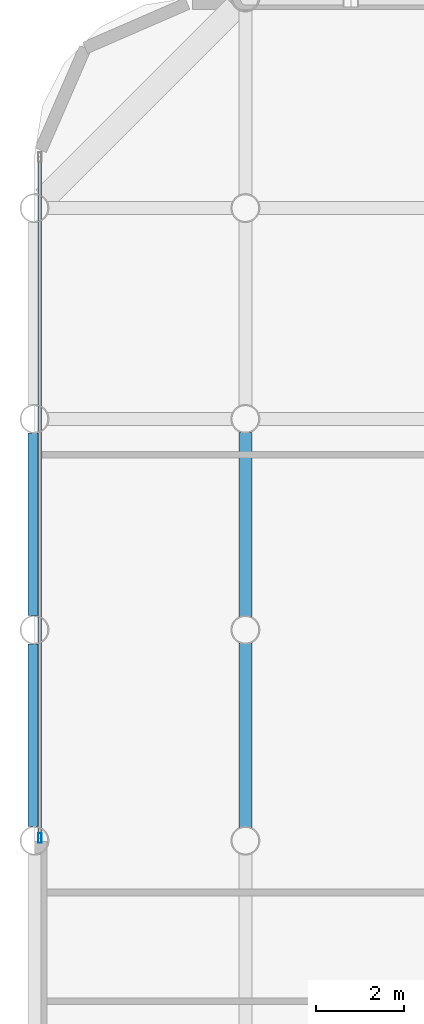
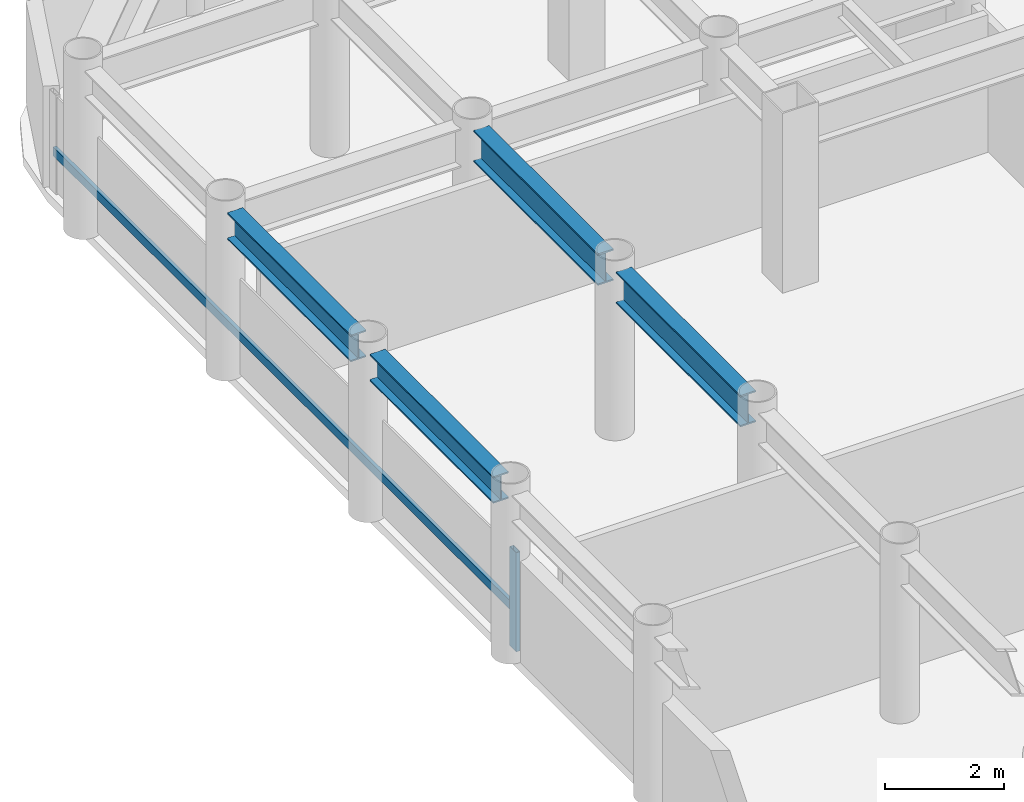
# One storey, part 4 of 20: 4 beams, 2 members, 1 element without a shape of its own.
"""IFC4 building model written with IfcOpenShell, lengths in metres."""

from ifc_helpers import new_model, si_unit, direction, frame, origin, origin_2d, place, context, subcontext, project, spatial, hollow_rectangle, i_section, extrude, material, layer, layer_set, material_profile, profile_set, type_object, element, aggregate, save


model = new_model("IFC4")

# Units and contexts
model_context = context("Model", 3, precision=1e-05, world=origin(), true_north=direction((0.0, 1.0)))
body_context = subcontext(model_context, "Body", "Model", "MODEL_VIEW")
ifc_project = project(units=[si_unit("LENGTHUNIT", "METRE"), si_unit("AREAUNIT", "SQUARE_METRE"), si_unit("VOLUMEUNIT", "CUBIC_METRE"), si_unit("PLANEANGLEUNIT", "RADIAN"), si_unit("MASSUNIT", "GRAM", prefix="KILO")], contexts=[model_context])

# Site, building, storey
site_placement = place(None, origin())
site = spatial("IfcSite", under=ifc_project, at=site_placement, CompositionType="ELEMENT")
building_placement = place(site_placement, origin())
building = spatial("IfcBuilding", under=site, at=building_placement, Name="Kallvorn Hotel Tower", CompositionType="ELEMENT")
storey_placement = place(building_placement, frame((0.0, 0.0, 176.60009765625)))
storey = spatial("IfcBuildingStorey", under=building, at=storey_placement, Name="L44", CompositionType="ELEMENT", Elevation=176.60009765625)

# Beams
ifc_material_1 = material(Name="Structural steel S355JR", Category="steel")
ifc_material_profile_1 = material_profile(ifc_material_1, i_section(OverallWidth=0.300048828125, OverallDepth=0.550048828125, WebThickness=0.014892578125, FlangeThickness=0.029052734375, at=origin_2d()), Name="HE 550 B")
ifc_profile_set_1 = profile_set([ifc_material_profile_1], Name="Structural steel S355JR")
beam_type_1 = type_object("IfcBeamType", Name="BM_HE550B", PredefinedType="SPANDREL", material=ifc_profile_set_1)
for number, where, z_axis, x_axis, name in (
    (1, (-33.60009765625, 0.320068359375, 3.204833984375), (0.0, 1.0, 0.0), (-1.0, 0.0, 0.0), "L45 Perimeter Spandrel 178"),
    (2, (-33.60009765625, 5.1201171875, 3.204833984375), (0.0, 1.0, 0.0), (-1.0, 0.0, 0.0), "L45 Perimeter Spandrel 179"),
):
    element("IfcBeam", number, at=place(storey_placement, frame(where, z_axis=z_axis, x_axis=x_axis)), inside=storey, type_object=beam_type_1, Name=name, PredefinedType="SPANDREL", context=body_context, shape_type="SweptSolid", body=[
        extrude(i_section(OverallWidth=0.300048828125, OverallDepth=0.550048828125, WebThickness=0.014892578125, FlangeThickness=0.029052734375, at=origin_2d()), origin(), (0.0, 0.0, 1.0), 4.159912109375),
    ])
ifc_material_2 = material(Name="Structural steel S355JR", Category="steel")
ifc_material_profile_2 = material_profile(ifc_material_2, i_section(OverallWidth=0.300048828125, OverallDepth=0.64990234375, WebThickness=0.01611328125, FlangeThickness=0.031005859375, at=origin_2d()), Name="HE 650 B")
ifc_profile_set_2 = profile_set([ifc_material_profile_2], Name="Structural steel S355JR")
beam_type_2 = type_object("IfcBeamType", Name="BM_HE650B", PredefinedType="BEAM", material=ifc_profile_set_2)
beam_1_placement = place(storey_placement, frame((-28.800048828125, 0.304931640625, 3.15478515625), z_axis=(0.0, 1.0, 0.0), x_axis=(-1.0, 0.0, 0.0)))
element("IfcBeam", 3, at=beam_1_placement, inside=storey, type_object=beam_type_2, Name="L45 Primary Y-Girder 78", PredefinedType="BEAM", context=body_context, shape_type="SweptSolid", body=[
    extrude(i_section(OverallWidth=0.300048828125, OverallDepth=0.64990234375, WebThickness=0.01611328125, FlangeThickness=0.031005859375, at=origin_2d()), origin(), (0.0, 0.0, 1.0), 4.190185546875),
])
beam_2_placement = place(storey_placement, frame((-28.800048828125, 5.10498046875, 3.15478515625), z_axis=(0.0, 1.0, 0.0), x_axis=(-1.0, 0.0, 0.0)))
element("IfcBeam", 4, at=beam_2_placement, inside=storey, type_object=beam_type_2, Name="L45 Primary Y-Girder 79", PredefinedType="BEAM", context=body_context, shape_type="SweptSolid", body=[
    extrude(i_section(OverallWidth=0.300048828125, OverallDepth=0.64990234375, WebThickness=0.01611328125, FlangeThickness=0.031005859375, at=origin_2d()), origin(), (0.0, 0.0, 1.0), 4.18994140625),
])

# Curtain wall, members
ifc_material_3 = material(Name="Thermally broken black-anodised aluminium AA 6063-T6", Category="aluminium")
ifc_layer = layer(ifc_material_3, 0.2099609375)
ifc_layer_set = layer_set([ifc_layer], Name="CW_SYS_4_HOTEL_MID")
curtain_wall_type = type_object("IfcCurtainWallType", Name="CW_SYS_4_HOTEL_MID", PredefinedType="USERDEFINED", material=ifc_layer_set)
curtain_wall_placement = place(storey_placement, origin())
curtain_wall = element("IfcCurtainWall", 5, at=curtain_wall_placement, inside=storey, type_object=curtain_wall_type, Name="L44 Dark-Glass Curtain Wall CW-L44-WN", ObjectType="UNITISED CURTAIN WALL", PredefinedType="USERDEFINED")
ifc_material_4 = material(Name="Thermally broken black-anodised aluminium AA 6063-T6", Category="aluminium")
ifc_material_profile_3 = material_profile(ifc_material_4, hollow_rectangle(XDim=0.080078125, YDim=0.219970703125, WallThickness=0.0048828125, at=origin_2d()), Name="MUL 220x80")
ifc_profile_set_3 = profile_set([ifc_material_profile_3], Name="Thermally broken black-anodised aluminium AA 6063-T6")
member_type_1 = type_object("IfcMemberType", Name="CW_MULLION_220x80", PredefinedType="MULLION", material=ifc_profile_set_3)
member_1_placement = place(storey_placement, frame((-33.47998046875, 0.06005859375, 0.02001953125), z_axis=(0.0, 0.0, 1.0), x_axis=(1.0, 0.0, 0.0)))
member_1 = element("IfcMember", 6, at=member_1_placement, type_object=member_type_1, Name="CW-L44-WN Mullion 00", PredefinedType="MULLION", context=body_context, shape_type="SweptSolid", body=[
    extrude(hollow_rectangle(XDim=0.080078125, YDim=0.219970703125, WallThickness=0.0048828125, at=origin_2d()), origin(), (0.0, 0.0, 1.0), 2.039794921875),
])
ifc_material_5 = material(Name="Thermally broken black-anodised aluminium AA 6063-T6", Category="aluminium")
ifc_material_profile_4 = material_profile(ifc_material_5, hollow_rectangle(XDim=0.070068359375, YDim=0.179931640625, WallThickness=0.00390625, at=origin_2d()), Name="TRN 180x70")
ifc_profile_set_4 = profile_set([ifc_material_profile_4], Name="Thermally broken black-anodised aluminium AA 6063-T6")
member_type_2 = type_object("IfcMemberType", Name="CW_TRANSOM_180x70", PredefinedType="USERDEFINED", material=ifc_profile_set_4)
member_2_placement = place(storey_placement, frame((-33.47998046875, 0.06005859375, 0.849853515625), z_axis=(0.0, 1.0, 0.0), x_axis=(-1.0, 0.0, 0.0)))
member_2 = element("IfcMember", 7, at=member_2_placement, type_object=member_type_2, Name="CW-L44-WN Transom 00M", ObjectType="TRANSOM", PredefinedType="USERDEFINED", context=body_context, shape_type="SweptSolid", body=[
    extrude(hollow_rectangle(XDim=0.070068359375, YDim=0.179931640625, WallThickness=0.00390625, at=origin_2d()), origin(), (0.0, 0.0, 1.0), 15.5),
])
aggregate(curtain_wall, [member_1, member_2])

save(model, "model.ifc")
